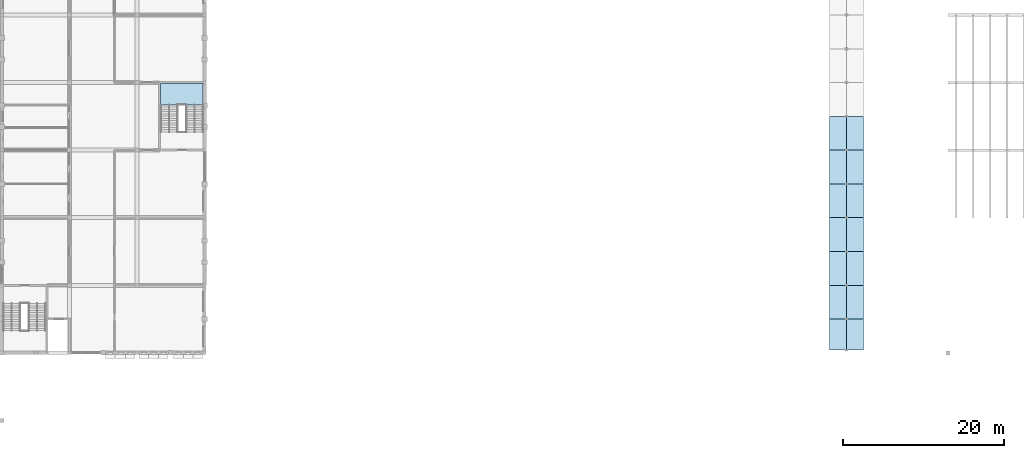
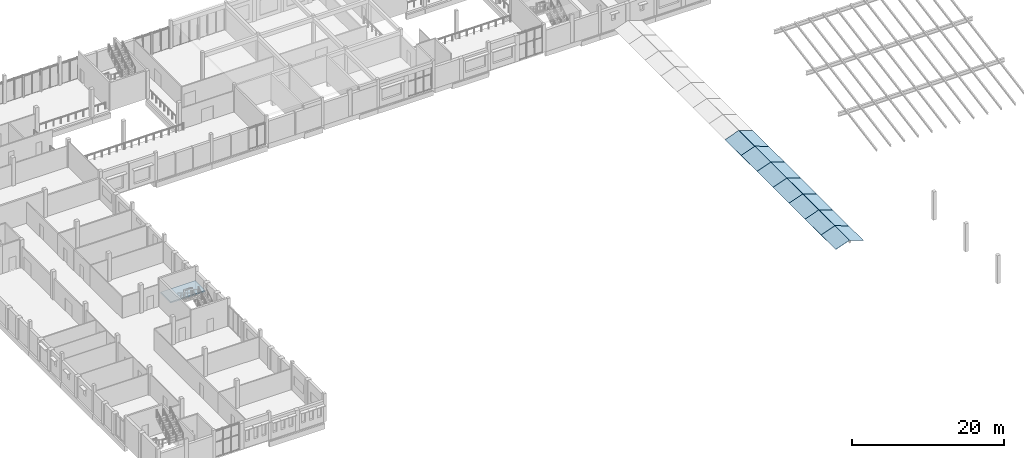
# One storey, part 20 of 38: 15 slabs, 1 element without a shape of its own.
"""IFC4 building model written with IfcOpenShell, lengths in metres."""

from ifc_helpers import new_model, si_unit, direction, frame, origin, place, context, subcontext, project, spatial, polyline, outline, extrude, material, layer, layer_set, type_object, element, aggregate, save


model = new_model("IFC4")

# Units and contexts
model_context = context("Model", 3, precision=1e-05, world=origin(), true_north=direction((0.0, 1.0)))
body_context = subcontext(model_context, "Body", "Model", "MODEL_VIEW")
ifc_project = project(units=[si_unit("LENGTHUNIT", "METRE"), si_unit("AREAUNIT", "SQUARE_METRE"), si_unit("VOLUMEUNIT", "CUBIC_METRE"), si_unit("PLANEANGLEUNIT", "RADIAN"), si_unit("MASSUNIT", "GRAM", prefix="KILO")], contexts=[model_context])

# Site, building, storey
site_placement = place(None, origin())
site = spatial("IfcSite", under=ifc_project, at=site_placement, CompositionType="ELEMENT")
building_placement = place(site_placement, origin())
building = spatial("IfcBuilding", under=site, at=building_placement, Name="Fescue Hill Polytechnic", CompositionType="ELEMENT")
storey_placement = place(building_placement, frame((0.0, 0.0, 18.0)))
storey = spatial("IfcBuildingStorey", under=building, at=storey_placement, Name="L04", CompositionType="ELEMENT", Elevation=18.0)

# Stair, slab
ifc_material_1 = material(Name="Concrete 35 MPa", Category="concrete")
stair_type = type_object("IfcStairType", Name="Half-turn stair 2150 flights", PredefinedType="HALF_TURN_STAIR", material=ifc_material_1)
stair_placement = place(storey_placement, origin())
stair = element("IfcStair", 1, at=stair_placement, inside=storey, type_object=stair_type, Name="L04 ST-V4-3 stair", PredefinedType="HALF_TURN_STAIR")
ifc_layer_1 = layer(ifc_material_1, 0.199951171875)
ifc_layer_set_1 = layer_set([ifc_layer_1], Name="Concrete 35 MPa")
slab_type_1 = type_object("IfcSlabType", Name="Stair landing slab 200", PredefinedType="LANDING", material=ifc_layer_set_1)
slab_1_placement = place(storey_placement, frame((0.0, 0.0, 2.050048828125)))
slab_1 = element("IfcSlab", 2, at=slab_1_placement, type_object=slab_type_1, Name="S17 landing 1", PredefinedType="LANDING", context=body_context, shape_type="SweptSolid", body=[
    extrude(outline(polyline([(19.72509765625, 81.235107421875), (24.97509765625, 81.235107421875), (24.97509765625, 83.875), (19.72509765625, 83.875), (19.72509765625, 81.235107421875)])), origin(), (0.0, 0.0, 1.0), 0.199951171875),
])
aggregate(stair, [slab_1])

# Slabs
ifc_material_2 = material(Name="Glass", Category="glass")
ifc_layer_2 = layer(ifc_material_2, 0.030029296875)
ifc_layer_set_2 = layer_set([ifc_layer_2], Name="Glass")
slab_type_2 = type_object("IfcSlabType", Name="Winter garden roof glazing 30", PredefinedType="ROOF", material=ifc_layer_set_2)
slab_2_placement = place(storey_placement, frame((102.899658203125, 50.75, 0.0224609375), z_axis=(-0.336329413726, 0.0, 0.941744405591), x_axis=(0.0, 1.0, 0.0)))
element("IfcSlab", 3, at=slab_2_placement, inside=storey, type_object=slab_type_2, Name="Winter garden roof glazing", PredefinedType="ROOF", context=body_context, shape_type="SweptSolid", body=[
    extrude(outline(polyline([(0.0, 0.0), (3.85009765625, 0.0), (3.85009765625, -2.2147127681263363), (0.0, -2.2147127681263363), (0.0, 0.0)])), origin(), (0.0, 0.0, -1.0), 0.030029296875),
])
for number, where, z_axis, x_axis, name in (
    (4, (102.899658203125, 54.60009765625, 0.0224609375), (-0.336329413726, 0.0, 0.941744405591), (0.0, 1.0, 0.0), "Winter garden roof glazing"),
    (5, (102.899658203125, 58.800048828125, 0.0224609375), (-0.336329413726, 0.0, 0.941744405591), (0.0, 1.0, 0.0), "Winter garden roof glazing"),
    (6, (102.899658203125, 63.0, 0.0224609375), (-0.336329413726, 0.0, 0.941744405591), (0.0, 1.0, 0.0), "Winter garden roof glazing"),
    (7, (102.899658203125, 67.199951171875, 0.0224609375), (-0.336329413726, 0.0, 0.941744405591), (0.0, 1.0, 0.0), "Winter garden roof glazing"),
):
    element("IfcSlab", number, at=place(storey_placement, frame(where, z_axis=z_axis, x_axis=x_axis)), inside=storey, type_object=slab_type_2, Name=name, PredefinedType="ROOF", context=body_context, shape_type="SweptSolid", body=[
        extrude(outline(polyline([(0.0, 0.0), (4.199951171875, 0.0), (4.199951171875, -2.2147127681263368), (0.0, -2.2147127681263368), (0.0, 0.0)])), origin(), (0.0, 0.0, -1.0), 0.030029296875),
    ])
slab_3_placement = place(storey_placement, frame((102.899658203125, 71.39990234375, 0.0224609375), z_axis=(-0.336329413726, 0.0, 0.941744405591), x_axis=(0.0, 1.0, 0.0)))
element("IfcSlab", 8, at=slab_3_placement, inside=storey, type_object=slab_type_2, Name="Winter garden roof glazing", PredefinedType="ROOF", context=body_context, shape_type="SweptSolid", body=[
    extrude(outline(polyline([(0.0, 0.0), (4.2001953125, 0.0), (4.2001953125, -2.2147127681263363), (0.0, -2.2147127681263363), (0.0, 0.0)])), origin(), (0.0, 0.0, -1.0), 0.030029296875),
])
slab_4_placement = place(storey_placement, frame((102.899658203125, 75.60009765625, 0.0224609375), z_axis=(-0.336329413726, 0.0, 0.941744405591), x_axis=(0.0, 1.0, 0.0)))
element("IfcSlab", 9, at=slab_4_placement, inside=storey, type_object=slab_type_2, Name="Winter garden roof glazing", PredefinedType="ROOF", context=body_context, shape_type="SweptSolid", body=[
    extrude(outline(polyline([(0.0, 0.0), (4.199951171875, 0.0), (4.199951171875, -2.2147127681263368), (0.0, -2.2147127681263368), (0.0, 0.0)])), origin(), (0.0, 0.0, -1.0), 0.030029296875),
])
slab_5_placement = place(storey_placement, frame((107.100341796875, 50.75, 0.0224609375), z_axis=(0.336329413726, 0.0, 0.941744405591), x_axis=(0.0, 1.0, 0.0)))
element("IfcSlab", 10, at=slab_5_placement, inside=storey, type_object=slab_type_2, Name="Winter garden roof glazing", PredefinedType="ROOF", context=body_context, shape_type="SweptSolid", body=[
    extrude(outline(polyline([(0.0, 0.0), (3.85009765625, 0.0), (3.85009765625, 2.2147127681263363), (0.0, 2.2147127681263363), (0.0, 0.0)])), origin(), (0.0, 0.0, -1.0), 0.030029296875),
])
for number, where, z_axis, x_axis, name in (
    (11, (107.100341796875, 54.60009765625, 0.0224609375), (0.336329413726, 0.0, 0.941744405591), (0.0, 1.0, 0.0), "Winter garden roof glazing"),
    (12, (107.100341796875, 58.800048828125, 0.0224609375), (0.336329413726, 0.0, 0.941744405591), (0.0, 1.0, 0.0), "Winter garden roof glazing"),
    (13, (107.100341796875, 63.0, 0.0224609375), (0.336329413726, 0.0, 0.941744405591), (0.0, 1.0, 0.0), "Winter garden roof glazing"),
    (14, (107.100341796875, 67.199951171875, 0.0224609375), (0.336329413726, 0.0, 0.941744405591), (0.0, 1.0, 0.0), "Winter garden roof glazing"),
):
    element("IfcSlab", number, at=place(storey_placement, frame(where, z_axis=z_axis, x_axis=x_axis)), inside=storey, type_object=slab_type_2, Name=name, PredefinedType="ROOF", context=body_context, shape_type="SweptSolid", body=[
        extrude(outline(polyline([(0.0, 0.0), (4.199951171875, 0.0), (4.199951171875, 2.2147127681263368), (0.0, 2.2147127681263368), (0.0, 0.0)])), origin(), (0.0, 0.0, -1.0), 0.030029296875),
    ])
slab_6_placement = place(storey_placement, frame((107.100341796875, 71.39990234375, 0.0224609375), z_axis=(0.336329413726, 0.0, 0.941744405591), x_axis=(0.0, 1.0, 0.0)))
element("IfcSlab", 15, at=slab_6_placement, inside=storey, type_object=slab_type_2, Name="Winter garden roof glazing", PredefinedType="ROOF", context=body_context, shape_type="SweptSolid", body=[
    extrude(outline(polyline([(0.0, 0.0), (4.2001953125, 0.0), (4.2001953125, 2.2147127681263363), (0.0, 2.2147127681263363), (0.0, 0.0)])), origin(), (0.0, 0.0, -1.0), 0.030029296875),
])
slab_7_placement = place(storey_placement, frame((107.100341796875, 75.60009765625, 0.0224609375), z_axis=(0.336329413726, 0.0, 0.941744405591), x_axis=(0.0, 1.0, 0.0)))
element("IfcSlab", 16, at=slab_7_placement, inside=storey, type_object=slab_type_2, Name="Winter garden roof glazing", PredefinedType="ROOF", context=body_context, shape_type="SweptSolid", body=[
    extrude(outline(polyline([(0.0, 0.0), (4.199951171875, 0.0), (4.199951171875, 2.2147127681263368), (0.0, 2.2147127681263368), (0.0, 0.0)])), origin(), (0.0, 0.0, -1.0), 0.030029296875),
])

save(model, "model.ifc")
